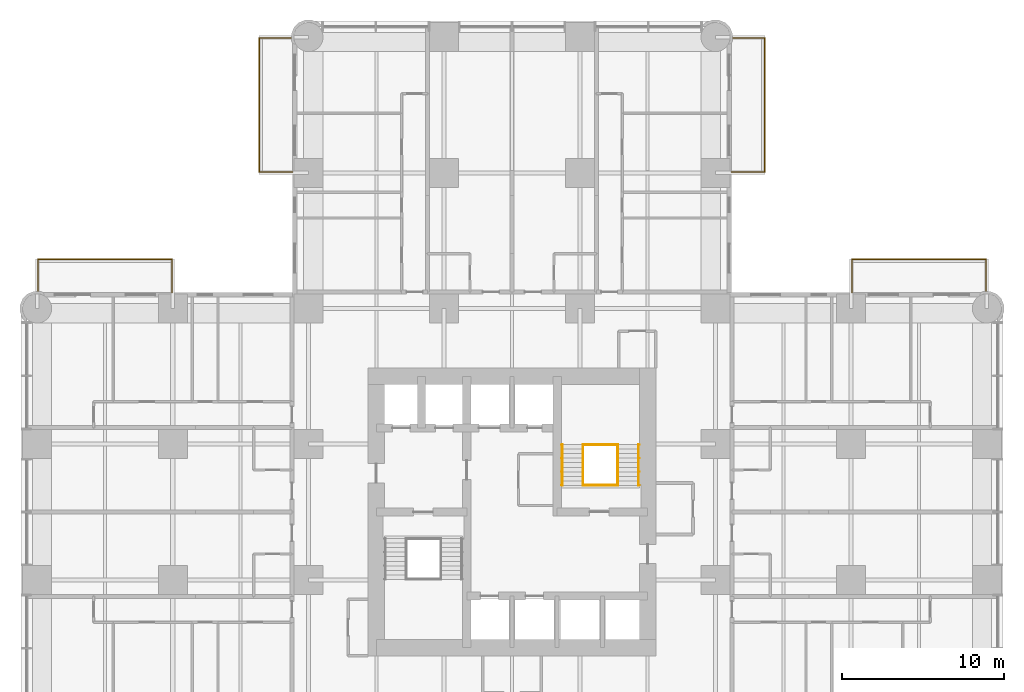
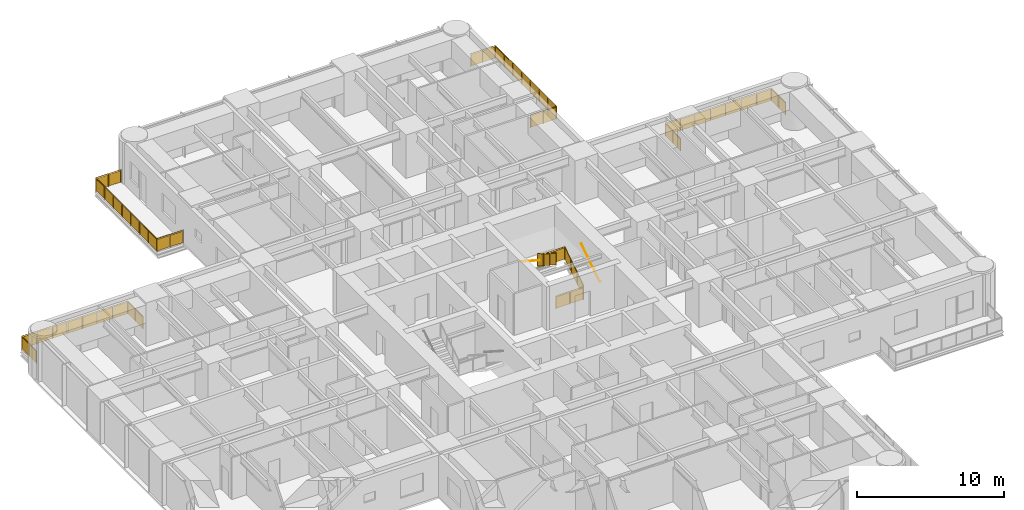
# One storey, part 17 of 17: 10 railings.
"""IFC4 building model written with IfcOpenShell, lengths in metres."""

from ifc_helpers import new_model, si_unit, direction, frame, origin, origin_2d, place, context, subcontext, project, spatial, polyline, circle, outline, extrude, material, constituent, constituent_set, type_object, element, save


model = new_model("IFC4")

# Units and contexts
model_context = context("Model", 3, precision=1e-05, world=origin(), true_north=direction((0.0, 1.0)))
body_context = subcontext(model_context, "Body", "Model", "MODEL_VIEW")
ifc_project = project(units=[si_unit("LENGTHUNIT", "METRE"), si_unit("AREAUNIT", "SQUARE_METRE"), si_unit("VOLUMEUNIT", "CUBIC_METRE"), si_unit("PLANEANGLEUNIT", "RADIAN"), si_unit("MASSUNIT", "GRAM", prefix="KILO")], contexts=[model_context])

# Site, building, storey
site_placement = place(None, origin())
site = spatial("IfcSite", under=ifc_project, at=site_placement, CompositionType="ELEMENT")
building_placement = place(site_placement, origin())
building = spatial("IfcBuilding", under=site, at=building_placement, Name="Torre Alcanfor", CompositionType="ELEMENT")
storey_placement = place(building_placement, frame((0.0, 0.0, 84.89990234375)))
storey = spatial("IfcBuildingStorey", under=building, at=storey_placement, Name="L21", CompositionType="ELEMENT", Elevation=84.89990234375)

# Railings
ifc_material_1 = material(Name="Laminated safety glass", Category="glass")
ifc_constituent_1 = constituent(ifc_material_1, Name="Infill")
ifc_material_2 = material(Name="Stainless steel ASTM A554 Grade MT 316L tube", Category="steel")
ifc_constituent_2 = constituent(ifc_material_2, Name="Posts and rail")
ifc_constituent_set = constituent_set(constituents=[ifc_constituent_1, ifc_constituent_2], Name="Balcony guard glass 1100")
railing_type_1 = type_object("IfcRailingType", Name="Balcony guard glass 1100", PredefinedType="BALUSTRADE", material=ifc_constituent_set)
railing_1_placement = place(storey_placement, frame((15.800048828125, 50.449951171875, 0.0)))
element("IfcRailing", 1, at=railing_1_placement, inside=storey, type_object=railing_type_1, Name="Balcony guard L21-N1", PredefinedType="BALUSTRADE", context=body_context, shape_type="SweptSolid", body=[
    extrude(circle(Radius=0.02392578125, at=origin_2d()), frame((0.0, 0.0, 1.076171875), z_axis=(-1.0, 0.0, 0.0), x_axis=(0.0, -1.0, 0.0)), (0.0, 0.0, 1.0), 2.050048828125),
    extrude(circle(Radius=0.02392578125, at=origin_2d()), frame((-2.050048828125, 0.0, 1.076171875), z_axis=(0.0, 1.0, 0.0), x_axis=(-1.0, 0.0, 0.0)), (0.0, 0.0, 1.0), 8.300048828125),
    extrude(circle(Radius=0.02392578125, at=origin_2d()), frame((-2.050048828125, 8.300048828125, 1.076171875), z_axis=(1.0, 0.0, 0.0), x_axis=(0.0, 1.0, 0.0)), (0.0, 0.0, 1.0), 1.968994140625),
    extrude(circle(Radius=0.02099609375, at=origin_2d()), origin(), (0.0, 0.0, 1.0), 1.052001953125),
    extrude(circle(Radius=0.02099609375, at=origin_2d()), frame((-1.02490234375, 0.0, 0.0)), (0.0, 0.0, 1.0), 1.052001953125),
    extrude(circle(Radius=0.02099609375, at=origin_2d()), frame((-2.050048828125, 0.0, 0.0)), (0.0, 0.0, 1.0), 1.052001953125),
    extrude(circle(Radius=0.02099609375, at=origin_2d()), frame((-2.050048828125, 1.185791015625, 0.0)), (0.0, 0.0, 1.0), 1.052001953125),
    extrude(circle(Radius=0.02099609375, at=origin_2d()), frame((-2.050048828125, 2.371337890625, 0.0)), (0.0, 0.0, 1.0), 1.052001953125),
    extrude(circle(Radius=0.02099609375, at=origin_2d()), frame((-2.050048828125, 3.55712890625, 0.0)), (0.0, 0.0, 1.0), 1.052001953125),
    extrude(circle(Radius=0.02099609375, at=origin_2d()), frame((-2.050048828125, 4.742919921875, 0.0)), (0.0, 0.0, 1.0), 1.052001953125),
    extrude(circle(Radius=0.02099609375, at=origin_2d()), frame((-2.050048828125, 5.9287109375, 0.0)), (0.0, 0.0, 1.0), 1.052001953125),
    extrude(circle(Radius=0.02099609375, at=origin_2d()), frame((-2.050048828125, 7.1142578125, 0.0)), (0.0, 0.0, 1.0), 1.052001953125),
    extrude(circle(Radius=0.02099609375, at=origin_2d()), frame((-2.050048828125, 8.300048828125, 0.0)), (0.0, 0.0, 1.0), 1.052001953125),
    extrude(circle(Radius=0.02099609375, at=origin_2d()), frame((-1.0654296875, 8.300048828125, 0.0)), (0.0, 0.0, 1.0), 1.052001953125),
    extrude(circle(Radius=0.02099609375, at=origin_2d()), frame((-0.0810546875, 8.300048828125, 0.0)), (0.0, 0.0, 1.0), 1.052001953125),
    extrude(outline(polyline([(0.041015625, 0.050048828125), (0.984130859375, 0.050048828125), (0.984130859375, 1.001953125), (0.041015625, 1.001953125), (0.041015625, 0.050048828125)])), frame((0.0, -0.005859375, 0.0), z_axis=(0.0, 1.0, 0.0), x_axis=(-1.0, 0.0, 0.0)), (0.0, 0.0, 1.0), 0.011962890625),
    extrude(outline(polyline([(1.06591796875, 0.050048828125), (2.009033203125, 0.050048828125), (2.009033203125, 1.001953125), (1.06591796875, 1.001953125), (1.06591796875, 0.050048828125)])), frame((0.0, -0.005859375, 0.0), z_axis=(0.0, 1.0, 0.0), x_axis=(-1.0, 0.0, 0.0)), (0.0, 0.0, 1.0), 0.011962890625),
    extrude(outline(polyline([(0.041015625, 0.050048828125), (1.144775390625, 0.050048828125), (1.144775390625, 1.001953125), (0.041015625, 1.001953125), (0.041015625, 0.050048828125)])), frame((-2.05615234375, 0.0, 0.0), z_axis=(1.0, 0.0, 0.0), x_axis=(0.0, 1.0, 0.0)), (0.0, 0.0, 1.0), 0.011962890625),
    extrude(outline(polyline([(1.226806640625, 0.050048828125), (2.330322265625, 0.050048828125), (2.330322265625, 1.001953125), (1.226806640625, 1.001953125), (1.226806640625, 0.050048828125)])), frame((-2.05615234375, 0.0, 0.0), z_axis=(1.0, 0.0, 0.0), x_axis=(0.0, 1.0, 0.0)), (0.0, 0.0, 1.0), 0.011962890625),
    extrude(outline(polyline([(2.412353515625, 0.050048828125), (3.51611328125, 0.050048828125), (3.51611328125, 1.001953125), (2.412353515625, 1.001953125), (2.412353515625, 0.050048828125)])), frame((-2.05615234375, 0.0, 0.0), z_axis=(1.0, 0.0, 0.0), x_axis=(0.0, 1.0, 0.0)), (0.0, 0.0, 1.0), 0.011962890625),
    extrude(outline(polyline([(3.59814453125, 0.050048828125), (4.701904296875, 0.050048828125), (4.701904296875, 1.001953125), (3.59814453125, 1.001953125), (3.59814453125, 0.050048828125)])), frame((-2.05615234375, 0.0, 0.0), z_axis=(1.0, 0.0, 0.0), x_axis=(0.0, 1.0, 0.0)), (0.0, 0.0, 1.0), 0.011962890625),
    extrude(outline(polyline([(4.783935546875, 0.050048828125), (5.8876953125, 0.050048828125), (5.8876953125, 1.001953125), (4.783935546875, 1.001953125), (4.783935546875, 0.050048828125)])), frame((-2.05615234375, 0.0, 0.0), z_axis=(1.0, 0.0, 0.0), x_axis=(0.0, 1.0, 0.0)), (0.0, 0.0, 1.0), 0.011962890625),
    extrude(outline(polyline([(5.9697265625, 0.050048828125), (7.0732421875, 0.050048828125), (7.0732421875, 1.001953125), (5.9697265625, 1.001953125), (5.9697265625, 0.050048828125)])), frame((-2.05615234375, 0.0, 0.0), z_axis=(1.0, 0.0, 0.0), x_axis=(0.0, 1.0, 0.0)), (0.0, 0.0, 1.0), 0.011962890625),
    extrude(outline(polyline([(7.1552734375, 0.050048828125), (8.259033203125, 0.050048828125), (8.259033203125, 1.001953125), (7.1552734375, 1.001953125), (7.1552734375, 0.050048828125)])), frame((-2.05615234375, 0.0, 0.0), z_axis=(1.0, 0.0, 0.0), x_axis=(0.0, 1.0, 0.0)), (0.0, 0.0, 1.0), 0.011962890625),
    extrude(outline(polyline([(0.041015625, 0.050048828125), (0.943603515625, 0.050048828125), (0.943603515625, 1.001953125), (0.041015625, 1.001953125), (0.041015625, 0.050048828125)])), frame((-2.050048828125, 8.30615234375, 0.0), z_axis=(0.0, -1.0, 0.0), x_axis=(1.0, 0.0, 0.0)), (0.0, 0.0, 1.0), 0.011962890625),
    extrude(outline(polyline([(1.025390625, 0.050048828125), (1.927978515625, 0.050048828125), (1.927978515625, 1.001953125), (1.025390625, 1.001953125), (1.025390625, 0.050048828125)])), frame((-2.050048828125, 8.30615234375, 0.0), z_axis=(0.0, -1.0, 0.0), x_axis=(1.0, 0.0, 0.0)), (0.0, 0.0, 1.0), 0.011962890625),
])
railing_2_placement = place(storey_placement, frame((43.0, 50.449951171875, 0.0)))
element("IfcRailing", 2, at=railing_2_placement, inside=storey, type_object=railing_type_1, Name="Balcony guard L21-N2", PredefinedType="BALUSTRADE", context=body_context, shape_type="SweptSolid", body=[
    extrude(circle(Radius=0.02392578125, at=origin_2d()), frame((0.0, 0.0, 1.076171875), z_axis=(1.0, 0.0, 0.0), x_axis=(0.0, 1.0, 0.0)), (0.0, 0.0, 1.0), 2.050048828125),
    extrude(circle(Radius=0.02392578125, at=origin_2d()), frame((2.050048828125, 0.0, 1.076171875), z_axis=(0.0, 1.0, 0.0), x_axis=(-1.0, 0.0, 0.0)), (0.0, 0.0, 1.0), 8.300048828125),
    extrude(circle(Radius=0.02392578125, at=origin_2d()), frame((2.050048828125, 8.300048828125, 1.076171875), z_axis=(-1.0, 0.0, 0.0), x_axis=(0.0, -1.0, 0.0)), (0.0, 0.0, 1.0), 1.968994140625),
    extrude(circle(Radius=0.02099609375, at=origin_2d()), origin(), (0.0, 0.0, 1.0), 1.052001953125),
    extrude(circle(Radius=0.02099609375, at=origin_2d()), frame((1.02490234375, 0.0, 0.0)), (0.0, 0.0, 1.0), 1.052001953125),
    extrude(circle(Radius=0.02099609375, at=origin_2d()), frame((2.050048828125, 0.0, 0.0)), (0.0, 0.0, 1.0), 1.052001953125),
    extrude(circle(Radius=0.02099609375, at=origin_2d()), frame((2.050048828125, 1.185791015625, 0.0)), (0.0, 0.0, 1.0), 1.052001953125),
    extrude(circle(Radius=0.02099609375, at=origin_2d()), frame((2.050048828125, 2.371337890625, 0.0)), (0.0, 0.0, 1.0), 1.052001953125),
    extrude(circle(Radius=0.02099609375, at=origin_2d()), frame((2.050048828125, 3.55712890625, 0.0)), (0.0, 0.0, 1.0), 1.052001953125),
    extrude(circle(Radius=0.02099609375, at=origin_2d()), frame((2.050048828125, 4.742919921875, 0.0)), (0.0, 0.0, 1.0), 1.052001953125),
    extrude(circle(Radius=0.02099609375, at=origin_2d()), frame((2.050048828125, 5.9287109375, 0.0)), (0.0, 0.0, 1.0), 1.052001953125),
    extrude(circle(Radius=0.02099609375, at=origin_2d()), frame((2.050048828125, 7.1142578125, 0.0)), (0.0, 0.0, 1.0), 1.052001953125),
    extrude(circle(Radius=0.02099609375, at=origin_2d()), frame((2.050048828125, 8.300048828125, 0.0)), (0.0, 0.0, 1.0), 1.052001953125),
    extrude(circle(Radius=0.02099609375, at=origin_2d()), frame((1.0654296875, 8.300048828125, 0.0)), (0.0, 0.0, 1.0), 1.052001953125),
    extrude(circle(Radius=0.02099609375, at=origin_2d()), frame((0.0810546875, 8.300048828125, 0.0)), (0.0, 0.0, 1.0), 1.052001953125),
    extrude(outline(polyline([(0.041015625, 0.050048828125), (0.984130859375, 0.050048828125), (0.984130859375, 1.001953125), (0.041015625, 1.001953125), (0.041015625, 0.050048828125)])), frame((0.0, 0.005859375, 0.0), z_axis=(0.0, -1.0, 0.0), x_axis=(1.0, 0.0, 0.0)), (0.0, 0.0, 1.0), 0.011962890625),
    extrude(outline(polyline([(1.06591796875, 0.050048828125), (2.009033203125, 0.050048828125), (2.009033203125, 1.001953125), (1.06591796875, 1.001953125), (1.06591796875, 0.050048828125)])), frame((0.0, 0.005859375, 0.0), z_axis=(0.0, -1.0, 0.0), x_axis=(1.0, 0.0, 0.0)), (0.0, 0.0, 1.0), 0.011962890625),
    extrude(outline(polyline([(0.041015625, 0.050048828125), (1.144775390625, 0.050048828125), (1.144775390625, 1.001953125), (0.041015625, 1.001953125), (0.041015625, 0.050048828125)])), frame((2.0439453125, 0.0, 0.0), z_axis=(1.0, 0.0, 0.0), x_axis=(0.0, 1.0, 0.0)), (0.0, 0.0, 1.0), 0.011962890625),
    extrude(outline(polyline([(1.226806640625, 0.050048828125), (2.330322265625, 0.050048828125), (2.330322265625, 1.001953125), (1.226806640625, 1.001953125), (1.226806640625, 0.050048828125)])), frame((2.0439453125, 0.0, 0.0), z_axis=(1.0, 0.0, 0.0), x_axis=(0.0, 1.0, 0.0)), (0.0, 0.0, 1.0), 0.011962890625),
    extrude(outline(polyline([(2.412353515625, 0.050048828125), (3.51611328125, 0.050048828125), (3.51611328125, 1.001953125), (2.412353515625, 1.001953125), (2.412353515625, 0.050048828125)])), frame((2.0439453125, 0.0, 0.0), z_axis=(1.0, 0.0, 0.0), x_axis=(0.0, 1.0, 0.0)), (0.0, 0.0, 1.0), 0.011962890625),
    extrude(outline(polyline([(3.59814453125, 0.050048828125), (4.701904296875, 0.050048828125), (4.701904296875, 1.001953125), (3.59814453125, 1.001953125), (3.59814453125, 0.050048828125)])), frame((2.0439453125, 0.0, 0.0), z_axis=(1.0, 0.0, 0.0), x_axis=(0.0, 1.0, 0.0)), (0.0, 0.0, 1.0), 0.011962890625),
    extrude(outline(polyline([(4.783935546875, 0.050048828125), (5.8876953125, 0.050048828125), (5.8876953125, 1.001953125), (4.783935546875, 1.001953125), (4.783935546875, 0.050048828125)])), frame((2.0439453125, 0.0, 0.0), z_axis=(1.0, 0.0, 0.0), x_axis=(0.0, 1.0, 0.0)), (0.0, 0.0, 1.0), 0.011962890625),
    extrude(outline(polyline([(5.9697265625, 0.050048828125), (7.0732421875, 0.050048828125), (7.0732421875, 1.001953125), (5.9697265625, 1.001953125), (5.9697265625, 0.050048828125)])), frame((2.0439453125, 0.0, 0.0), z_axis=(1.0, 0.0, 0.0), x_axis=(0.0, 1.0, 0.0)), (0.0, 0.0, 1.0), 0.011962890625),
    extrude(outline(polyline([(7.1552734375, 0.050048828125), (8.259033203125, 0.050048828125), (8.259033203125, 1.001953125), (7.1552734375, 1.001953125), (7.1552734375, 0.050048828125)])), frame((2.0439453125, 0.0, 0.0), z_axis=(1.0, 0.0, 0.0), x_axis=(0.0, 1.0, 0.0)), (0.0, 0.0, 1.0), 0.011962890625),
    extrude(outline(polyline([(0.041015625, 0.050048828125), (0.943603515625, 0.050048828125), (0.943603515625, 1.001953125), (0.041015625, 1.001953125), (0.041015625, 0.050048828125)])), frame((2.050048828125, 8.2939453125, 0.0), z_axis=(0.0, 1.0, 0.0), x_axis=(-1.0, 0.0, 0.0)), (0.0, 0.0, 1.0), 0.011962890625),
    extrude(outline(polyline([(1.025390625, 0.050048828125), (1.927978515625, 0.050048828125), (1.927978515625, 1.001953125), (1.025390625, 1.001953125), (1.025390625, 0.050048828125)])), frame((2.050048828125, 8.2939453125, 0.0), z_axis=(0.0, 1.0, 0.0), x_axis=(-1.0, 0.0, 0.0)), (0.0, 0.0, 1.0), 0.011962890625),
])
railing_3_placement = place(storey_placement, frame((50.449951171875, 43.0, 0.0)))
element("IfcRailing", 3, at=railing_3_placement, inside=storey, type_object=railing_type_1, Name="Balcony guard L21-E1", PredefinedType="BALUSTRADE", context=body_context, shape_type="SweptSolid", body=[
    extrude(circle(Radius=0.02392578125, at=origin_2d()), frame((0.0, 0.0, 1.076171875), z_axis=(0.0, 1.0, 0.0), x_axis=(-1.0, 0.0, 0.0)), (0.0, 0.0, 1.0), 2.050048828125),
    extrude(circle(Radius=0.02392578125, at=origin_2d()), frame((0.0, 2.050048828125, 1.076171875), z_axis=(1.0, 0.0, 0.0), x_axis=(0.0, 1.0, 0.0)), (0.0, 0.0, 1.0), 8.300048828125),
    extrude(circle(Radius=0.02392578125, at=origin_2d()), frame((8.300048828125, 2.050048828125, 1.076171875), z_axis=(0.0, -1.0, 0.0), x_axis=(1.0, 0.0, 0.0)), (0.0, 0.0, 1.0), 1.968994140625),
    extrude(circle(Radius=0.02099609375, at=origin_2d()), origin(), (0.0, 0.0, 1.0), 1.052001953125),
    extrude(circle(Radius=0.02099609375, at=origin_2d()), frame((0.0, 1.02490234375, 0.0)), (0.0, 0.0, 1.0), 1.052001953125),
    extrude(circle(Radius=0.02099609375, at=origin_2d()), frame((0.0, 2.050048828125, 0.0)), (0.0, 0.0, 1.0), 1.052001953125),
    extrude(circle(Radius=0.02099609375, at=origin_2d()), frame((1.185791015625, 2.050048828125, 0.0)), (0.0, 0.0, 1.0), 1.052001953125),
    extrude(circle(Radius=0.02099609375, at=origin_2d()), frame((2.371337890625, 2.050048828125, 0.0)), (0.0, 0.0, 1.0), 1.052001953125),
    extrude(circle(Radius=0.02099609375, at=origin_2d()), frame((3.55712890625, 2.050048828125, 0.0)), (0.0, 0.0, 1.0), 1.052001953125),
    extrude(circle(Radius=0.02099609375, at=origin_2d()), frame((4.742919921875, 2.050048828125, 0.0)), (0.0, 0.0, 1.0), 1.052001953125),
    extrude(circle(Radius=0.02099609375, at=origin_2d()), frame((5.9287109375, 2.050048828125, 0.0)), (0.0, 0.0, 1.0), 1.052001953125),
    extrude(circle(Radius=0.02099609375, at=origin_2d()), frame((7.1142578125, 2.050048828125, 0.0)), (0.0, 0.0, 1.0), 1.052001953125),
    extrude(circle(Radius=0.02099609375, at=origin_2d()), frame((8.300048828125, 2.050048828125, 0.0)), (0.0, 0.0, 1.0), 1.052001953125),
    extrude(circle(Radius=0.02099609375, at=origin_2d()), frame((8.300048828125, 1.0654296875, 0.0)), (0.0, 0.0, 1.0), 1.052001953125),
    extrude(circle(Radius=0.02099609375, at=origin_2d()), frame((8.300048828125, 0.0810546875, 0.0)), (0.0, 0.0, 1.0), 1.052001953125),
    extrude(outline(polyline([(0.041015625, 0.050048828125), (0.984130859375, 0.050048828125), (0.984130859375, 1.001953125), (0.041015625, 1.001953125), (0.041015625, 0.050048828125)])), frame((-0.005859375, 0.0, 0.0), z_axis=(1.0, 0.0, 0.0), x_axis=(0.0, 1.0, 0.0)), (0.0, 0.0, 1.0), 0.011962890625),
    extrude(outline(polyline([(1.06591796875, 0.050048828125), (2.009033203125, 0.050048828125), (2.009033203125, 1.001953125), (1.06591796875, 1.001953125), (1.06591796875, 0.050048828125)])), frame((-0.005859375, 0.0, 0.0), z_axis=(1.0, 0.0, 0.0), x_axis=(0.0, 1.0, 0.0)), (0.0, 0.0, 1.0), 0.011962890625),
    extrude(outline(polyline([(0.041015625, 0.050048828125), (1.144775390625, 0.050048828125), (1.144775390625, 1.001953125), (0.041015625, 1.001953125), (0.041015625, 0.050048828125)])), frame((0.0, 2.05615234375, 0.0), z_axis=(0.0, -1.0, 0.0), x_axis=(1.0, 0.0, 0.0)), (0.0, 0.0, 1.0), 0.011962890625),
    extrude(outline(polyline([(1.226806640625, 0.050048828125), (2.330322265625, 0.050048828125), (2.330322265625, 1.001953125), (1.226806640625, 1.001953125), (1.226806640625, 0.050048828125)])), frame((0.0, 2.05615234375, 0.0), z_axis=(0.0, -1.0, 0.0), x_axis=(1.0, 0.0, 0.0)), (0.0, 0.0, 1.0), 0.011962890625),
    extrude(outline(polyline([(2.412353515625, 0.050048828125), (3.51611328125, 0.050048828125), (3.51611328125, 1.001953125), (2.412353515625, 1.001953125), (2.412353515625, 0.050048828125)])), frame((0.0, 2.05615234375, 0.0), z_axis=(0.0, -1.0, 0.0), x_axis=(1.0, 0.0, 0.0)), (0.0, 0.0, 1.0), 0.011962890625),
    extrude(outline(polyline([(3.59814453125, 0.050048828125), (4.701904296875, 0.050048828125), (4.701904296875, 1.001953125), (3.59814453125, 1.001953125), (3.59814453125, 0.050048828125)])), frame((0.0, 2.05615234375, 0.0), z_axis=(0.0, -1.0, 0.0), x_axis=(1.0, 0.0, 0.0)), (0.0, 0.0, 1.0), 0.011962890625),
    extrude(outline(polyline([(4.783935546875, 0.050048828125), (5.8876953125, 0.050048828125), (5.8876953125, 1.001953125), (4.783935546875, 1.001953125), (4.783935546875, 0.050048828125)])), frame((0.0, 2.05615234375, 0.0), z_axis=(0.0, -1.0, 0.0), x_axis=(1.0, 0.0, 0.0)), (0.0, 0.0, 1.0), 0.011962890625),
    extrude(outline(polyline([(5.9697265625, 0.050048828125), (7.0732421875, 0.050048828125), (7.0732421875, 1.001953125), (5.9697265625, 1.001953125), (5.9697265625, 0.050048828125)])), frame((0.0, 2.05615234375, 0.0), z_axis=(0.0, -1.0, 0.0), x_axis=(1.0, 0.0, 0.0)), (0.0, 0.0, 1.0), 0.011962890625),
    extrude(outline(polyline([(7.1552734375, 0.050048828125), (8.259033203125, 0.050048828125), (8.259033203125, 1.001953125), (7.1552734375, 1.001953125), (7.1552734375, 0.050048828125)])), frame((0.0, 2.05615234375, 0.0), z_axis=(0.0, -1.0, 0.0), x_axis=(1.0, 0.0, 0.0)), (0.0, 0.0, 1.0), 0.011962890625),
    extrude(outline(polyline([(0.041015625, 0.050048828125), (0.943603515625, 0.050048828125), (0.943603515625, 1.001953125), (0.041015625, 1.001953125), (0.041015625, 0.050048828125)])), frame((8.30615234375, 2.050048828125, 0.0), z_axis=(-1.0, 0.0, 0.0), x_axis=(0.0, -1.0, 0.0)), (0.0, 0.0, 1.0), 0.011962890625),
    extrude(outline(polyline([(1.025390625, 0.050048828125), (1.927978515625, 0.050048828125), (1.927978515625, 1.001953125), (1.025390625, 1.001953125), (1.025390625, 0.050048828125)])), frame((8.30615234375, 2.050048828125, 0.0), z_axis=(-1.0, 0.0, 0.0), x_axis=(0.0, -1.0, 0.0)), (0.0, 0.0, 1.0), 0.011962890625),
])
railing_4_placement = place(storey_placement, frame((8.35009765625, 43.0, 0.0)))
element("IfcRailing", 4, at=railing_4_placement, inside=storey, type_object=railing_type_1, Name="Balcony guard L21-W2", PredefinedType="BALUSTRADE", context=body_context, shape_type="SweptSolid", body=[
    extrude(circle(Radius=0.02392578125, at=origin_2d()), frame((0.0, 0.0, 1.076171875), z_axis=(0.0, 1.0, 0.0), x_axis=(-1.0, 0.0, 0.0)), (0.0, 0.0, 1.0), 2.050048828125),
    extrude(circle(Radius=0.02392578125, at=origin_2d()), frame((0.0, 2.050048828125, 1.076171875), z_axis=(-1.0, 0.0, 0.0), x_axis=(0.0, -1.0, 0.0)), (0.0, 0.0, 1.0), 8.300048828125),
    extrude(circle(Radius=0.02392578125, at=origin_2d()), frame((-8.300048828125, 2.050048828125, 1.076171875), z_axis=(0.0, -1.0, 0.0), x_axis=(1.0, 0.0, 0.0)), (0.0, 0.0, 1.0), 1.968994140625),
    extrude(circle(Radius=0.02099609375, at=origin_2d()), origin(), (0.0, 0.0, 1.0), 1.052001953125),
    extrude(circle(Radius=0.02099609375, at=origin_2d()), frame((0.0, 1.02490234375, 0.0)), (0.0, 0.0, 1.0), 1.052001953125),
    extrude(circle(Radius=0.02099609375, at=origin_2d()), frame((0.0, 2.050048828125, 0.0)), (0.0, 0.0, 1.0), 1.052001953125),
    extrude(circle(Radius=0.02099609375, at=origin_2d()), frame((-1.185791015625, 2.050048828125, 0.0)), (0.0, 0.0, 1.0), 1.052001953125),
    extrude(circle(Radius=0.02099609375, at=origin_2d()), frame((-2.371337890625, 2.050048828125, 0.0)), (0.0, 0.0, 1.0), 1.052001953125),
    extrude(circle(Radius=0.02099609375, at=origin_2d()), frame((-3.55712890625, 2.050048828125, 0.0)), (0.0, 0.0, 1.0), 1.052001953125),
    extrude(circle(Radius=0.02099609375, at=origin_2d()), frame((-4.742919921875, 2.050048828125, 0.0)), (0.0, 0.0, 1.0), 1.052001953125),
    extrude(circle(Radius=0.02099609375, at=origin_2d()), frame((-5.9287109375, 2.050048828125, 0.0)), (0.0, 0.0, 1.0), 1.052001953125),
    extrude(circle(Radius=0.02099609375, at=origin_2d()), frame((-7.1142578125, 2.050048828125, 0.0)), (0.0, 0.0, 1.0), 1.052001953125),
    extrude(circle(Radius=0.02099609375, at=origin_2d()), frame((-8.300048828125, 2.050048828125, 0.0)), (0.0, 0.0, 1.0), 1.052001953125),
    extrude(circle(Radius=0.02099609375, at=origin_2d()), frame((-8.300048828125, 1.0654296875, 0.0)), (0.0, 0.0, 1.0), 1.052001953125),
    extrude(circle(Radius=0.02099609375, at=origin_2d()), frame((-8.300048828125, 0.0810546875, 0.0)), (0.0, 0.0, 1.0), 1.052001953125),
    extrude(outline(polyline([(0.041015625, 0.050048828125), (0.984130859375, 0.050048828125), (0.984130859375, 1.001953125), (0.041015625, 1.001953125), (0.041015625, 0.050048828125)])), frame((-0.005859375, 0.0, 0.0), z_axis=(1.0, 0.0, 0.0), x_axis=(0.0, 1.0, 0.0)), (0.0, 0.0, 1.0), 0.011962890625),
    extrude(outline(polyline([(1.06591796875, 0.050048828125), (2.009033203125, 0.050048828125), (2.009033203125, 1.001953125), (1.06591796875, 1.001953125), (1.06591796875, 0.050048828125)])), frame((-0.005859375, 0.0, 0.0), z_axis=(1.0, 0.0, 0.0), x_axis=(0.0, 1.0, 0.0)), (0.0, 0.0, 1.0), 0.011962890625),
    extrude(outline(polyline([(0.041015625, 0.050048828125), (1.144775390625, 0.050048828125), (1.144775390625, 1.001953125), (0.041015625, 1.001953125), (0.041015625, 0.050048828125)])), frame((0.0, 2.0439453125, 0.0), z_axis=(0.0, 1.0, 0.0), x_axis=(-1.0, 0.0, 0.0)), (0.0, 0.0, 1.0), 0.011962890625),
    extrude(outline(polyline([(1.226806640625, 0.050048828125), (2.330322265625, 0.050048828125), (2.330322265625, 1.001953125), (1.226806640625, 1.001953125), (1.226806640625, 0.050048828125)])), frame((0.0, 2.0439453125, 0.0), z_axis=(0.0, 1.0, 0.0), x_axis=(-1.0, 0.0, 0.0)), (0.0, 0.0, 1.0), 0.011962890625),
    extrude(outline(polyline([(2.412353515625, 0.050048828125), (3.51611328125, 0.050048828125), (3.51611328125, 1.001953125), (2.412353515625, 1.001953125), (2.412353515625, 0.050048828125)])), frame((0.0, 2.0439453125, 0.0), z_axis=(0.0, 1.0, 0.0), x_axis=(-1.0, 0.0, 0.0)), (0.0, 0.0, 1.0), 0.011962890625),
    extrude(outline(polyline([(3.59814453125, 0.050048828125), (4.701904296875, 0.050048828125), (4.701904296875, 1.001953125), (3.59814453125, 1.001953125), (3.59814453125, 0.050048828125)])), frame((0.0, 2.0439453125, 0.0), z_axis=(0.0, 1.0, 0.0), x_axis=(-1.0, 0.0, 0.0)), (0.0, 0.0, 1.0), 0.011962890625),
    extrude(outline(polyline([(4.783935546875, 0.050048828125), (5.8876953125, 0.050048828125), (5.8876953125, 1.001953125), (4.783935546875, 1.001953125), (4.783935546875, 0.050048828125)])), frame((0.0, 2.0439453125, 0.0), z_axis=(0.0, 1.0, 0.0), x_axis=(-1.0, 0.0, 0.0)), (0.0, 0.0, 1.0), 0.011962890625),
    extrude(outline(polyline([(5.9697265625, 0.050048828125), (7.0732421875, 0.050048828125), (7.0732421875, 1.001953125), (5.9697265625, 1.001953125), (5.9697265625, 0.050048828125)])), frame((0.0, 2.0439453125, 0.0), z_axis=(0.0, 1.0, 0.0), x_axis=(-1.0, 0.0, 0.0)), (0.0, 0.0, 1.0), 0.011962890625),
    extrude(outline(polyline([(7.1552734375, 0.050048828125), (8.259033203125, 0.050048828125), (8.259033203125, 1.001953125), (7.1552734375, 1.001953125), (7.1552734375, 0.050048828125)])), frame((0.0, 2.0439453125, 0.0), z_axis=(0.0, 1.0, 0.0), x_axis=(-1.0, 0.0, 0.0)), (0.0, 0.0, 1.0), 0.011962890625),
    extrude(outline(polyline([(0.041015625, 0.050048828125), (0.943603515625, 0.050048828125), (0.943603515625, 1.001953125), (0.041015625, 1.001953125), (0.041015625, 0.050048828125)])), frame((-8.2939453125, 2.050048828125, 0.0), z_axis=(-1.0, 0.0, 0.0), x_axis=(0.0, -1.0, 0.0)), (0.0, 0.0, 1.0), 0.011962890625),
    extrude(outline(polyline([(1.025390625, 0.050048828125), (1.927978515625, 0.050048828125), (1.927978515625, 1.001953125), (1.025390625, 1.001953125), (1.025390625, 0.050048828125)])), frame((-8.2939453125, 2.050048828125, 0.0), z_axis=(-1.0, 0.0, 0.0), x_axis=(0.0, -1.0, 0.0)), (0.0, 0.0, 1.0), 0.011962890625),
])
ifc_material_3 = material(Name="Steel ASTM A500 Grade C hollow sections", Category="steel")
railing_type_2 = type_object("IfcRailingType", Name="Stair guard and handrail 1100", PredefinedType="GUARDRAIL", material=ifc_material_3)
railing_5_placement = place(storey_placement, frame((35.949951171875, 31.050048828125, 0.18017578125)))
element("IfcRailing", 5, at=railing_5_placement, inside=storey, type_object=railing_type_2, Name="Stair guard S2 L21 flight 1", PredefinedType="GUARDRAIL", context=body_context, shape_type="SweptSolid", body=[
    extrude(circle(Radius=0.02392578125, at=origin_2d()), frame((0.0, 0.0, 1.076171875), z_axis=(0.0, 0.841199657755, 0.540724639528), x_axis=(-1.0, 0.0, 0.0)), (0.0, 0.0, 1.0), 2.995849609375),
    extrude(circle(Radius=0.02099609375, at=origin_2d()), origin(), (0.0, 0.0, 1.0), 1.052001953125),
    extrude(circle(Radius=0.02099609375, at=origin_2d()), frame((0.0, 0.840087890625, 0.5400390625)), (0.0, 0.0, 1.0), 1.052001953125),
    extrude(circle(Radius=0.02099609375, at=origin_2d()), frame((0.0, 1.679931640625, 1.079833984375)), (0.0, 0.0, 1.0), 1.052001953125),
    extrude(circle(Radius=0.02099609375, at=origin_2d()), frame((0.0, 2.52001953125, 1.619873046875)), (0.0, 0.0, 1.0), 1.052001953125),
    extrude(outline(polyline([(0.041015625, 0.076416015625), (0.799072265625, 0.563720703125), (0.799072265625, 1.515625), (0.041015625, 1.0283203125), (0.041015625, 0.076416015625)])), frame((-0.005859375, 0.0, 0.0), z_axis=(1.0, 0.0, 0.0), x_axis=(0.0, 1.0, 0.0)), (0.0, 0.0, 1.0), 0.011962890625),
    extrude(outline(polyline([(0.881103515625, 0.6162109375), (1.638916015625, 1.103515625), (1.638916015625, 2.0556640625), (0.881103515625, 1.568359375), (0.881103515625, 0.6162109375)])), frame((-0.005859375, 0.0, 0.0), z_axis=(1.0, 0.0, 0.0), x_axis=(0.0, 1.0, 0.0)), (0.0, 0.0, 1.0), 0.011962890625),
    extrude(outline(polyline([(1.720947265625, 1.15625), (2.47900390625, 1.6435546875), (2.47900390625, 2.595458984375), (1.720947265625, 2.108154296875), (1.720947265625, 1.15625)])), frame((-0.005859375, 0.0, 0.0), z_axis=(1.0, 0.0, 0.0), x_axis=(0.0, 1.0, 0.0)), (0.0, 0.0, 1.0), 0.011962890625),
])
railing_6_placement = place(storey_placement, frame((33.800048828125, 33.570068359375, 1.97998046875)))
element("IfcRailing", 6, at=railing_6_placement, inside=storey, type_object=railing_type_2, Name="Stair guard S2 L21 flight 2", PredefinedType="GUARDRAIL", context=body_context, shape_type="SweptSolid", body=[
    extrude(circle(Radius=0.02392578125, at=origin_2d()), frame((0.0, 0.0, 1.076171875), z_axis=(0.0, -0.841162588446, 0.540782303519), x_axis=(1.0, 0.0, 0.0)), (0.0, 0.0, 1.0), 2.995849609375),
    extrude(circle(Radius=0.02099609375, at=origin_2d()), origin(), (0.0, 0.0, 1.0), 1.052001953125),
    extrude(circle(Radius=0.02099609375, at=origin_2d()), frame((0.0, -0.840087890625, 0.5400390625)), (0.0, 0.0, 1.0), 1.052001953125),
    extrude(circle(Radius=0.02099609375, at=origin_2d()), frame((0.0, -1.679931640625, 1.080078125)), (0.0, 0.0, 1.0), 1.052001953125),
    extrude(circle(Radius=0.02099609375, at=origin_2d()), frame((0.0, -2.52001953125, 1.6201171875)), (0.0, 0.0, 1.0), 1.052001953125),
    extrude(outline(polyline([(0.041015625, 0.076416015625), (0.799072265625, 0.563720703125), (0.799072265625, 1.515625), (0.041015625, 1.0283203125), (0.041015625, 0.076416015625)])), frame((0.005859375, 0.0, 0.0), z_axis=(-1.0, 0.0, 0.0), x_axis=(0.0, -1.0, 0.0)), (0.0, 0.0, 1.0), 0.011962890625),
    extrude(outline(polyline([(0.881103515625, 0.616455078125), (1.638916015625, 1.103759765625), (1.638916015625, 2.0556640625), (0.881103515625, 1.568359375), (0.881103515625, 0.616455078125)])), frame((0.005859375, 0.0, 0.0), z_axis=(-1.0, 0.0, 0.0), x_axis=(0.0, -1.0, 0.0)), (0.0, 0.0, 1.0), 0.011962890625),
    extrude(outline(polyline([(1.720947265625, 1.156494140625), (2.47900390625, 1.643798828125), (2.47900390625, 2.595703125), (1.720947265625, 2.1083984375), (1.720947265625, 1.156494140625)])), frame((0.005859375, 0.0, 0.0), z_axis=(-1.0, 0.0, 0.0), x_axis=(0.0, -1.0, 0.0)), (0.0, 0.0, 1.0), 0.011962890625),
])
for number, where, name in (
    (7, (33.800048828125, 31.050048828125, 0.0), "Stair well guard S2 L21 floor landing"),
    (8, (33.800048828125, 33.570068359375, 1.800048828125), "Stair well guard S2 L21 half landing"),
):
    element("IfcRailing", number, at=place(storey_placement, frame(where)), inside=storey, type_object=railing_type_2, Name=name, PredefinedType="GUARDRAIL", context=body_context, shape_type="SweptSolid", body=[
        extrude(circle(Radius=0.02392578125, at=origin_2d()), frame((0.0, 0.0, 1.076171875), z_axis=(1.0, 0.0, 0.0), x_axis=(0.0, 1.0, 0.0)), (0.0, 0.0, 1.0), 2.14990234375),
        extrude(circle(Radius=0.02099609375, at=origin_2d()), origin(), (0.0, 0.0, 1.0), 1.052001953125),
        extrude(circle(Radius=0.02099609375, at=origin_2d()), frame((1.074951171875, 0.0, 0.0)), (0.0, 0.0, 1.0), 1.052001953125),
        extrude(circle(Radius=0.02099609375, at=origin_2d()), frame((2.14990234375, 0.0, 0.0)), (0.0, 0.0, 1.0), 1.052001953125),
        extrude(outline(polyline([(0.041015625, 0.050048828125), (1.033935546875, 0.050048828125), (1.033935546875, 1.001953125), (0.041015625, 1.001953125), (0.041015625, 0.050048828125)])), frame((0.0, 0.005859375, 0.0), z_axis=(0.0, -1.0, 0.0), x_axis=(1.0, 0.0, 0.0)), (0.0, 0.0, 1.0), 0.011962890625),
        extrude(outline(polyline([(1.115966796875, 0.050048828125), (2.10888671875, 0.050048828125), (2.10888671875, 1.001953125), (1.115966796875, 1.001953125), (1.115966796875, 0.050048828125)])), frame((0.0, 0.005859375, 0.0), z_axis=(0.0, -1.0, 0.0), x_axis=(1.0, 0.0, 0.0)), (0.0, 0.0, 1.0), 0.011962890625),
    ])
ifc_material_4 = material(Name="Steel ASTM A500 Grade C hollow sections", Category="steel")
railing_type_3 = type_object("IfcRailingType", Name="Stair wall handrail 900", PredefinedType="HANDRAIL", material=ifc_material_4)
railing_7_placement = place(storey_placement, frame((37.235107421875, 31.050048828125, 0.18017578125)))
element("IfcRailing", 9, at=railing_7_placement, inside=storey, type_object=railing_type_3, Name="Stair handrail S2 L21 flight 1", PredefinedType="HANDRAIL", context=body_context, shape_type="SweptSolid", body=[
    extrude(circle(Radius=0.02392578125, at=origin_2d()), frame((0.0, 0.0, 0.8759765625), z_axis=(0.0, 0.841199657755, 0.540724639528), x_axis=(-1.0, 0.0, 0.0)), (0.0, 0.0, 1.0), 2.995849609375),
    extrude(circle(Radius=0.008056640625, at=origin_2d()), frame((0.0, 0.0, 0.8759765625), z_axis=(1.0, 0.0, 0.0), x_axis=(0.0, 0.0, 1.0)), (0.0, 0.0, 1.0), 0.06494140625),
    extrude(circle(Radius=0.008056640625, at=origin_2d()), frame((0.0, 0.840087890625, 1.415771484375), z_axis=(1.0, 0.0, 0.0), x_axis=(0.0, 0.0, 1.0)), (0.0, 0.0, 1.0), 0.06494140625),
    extrude(circle(Radius=0.008056640625, at=origin_2d()), frame((0.0, 1.679931640625, 1.955810546875), z_axis=(1.0, 0.0, 0.0), x_axis=(0.0, 0.0, 1.0)), (0.0, 0.0, 1.0), 0.06494140625),
    extrude(circle(Radius=0.008056640625, at=origin_2d()), frame((0.0, 2.52001953125, 2.49560546875), z_axis=(1.0, 0.0, 0.0), x_axis=(0.0, 0.0, 1.0)), (0.0, 0.0, 1.0), 0.06494140625),
])
railing_8_placement = place(storey_placement, frame((32.514892578125, 33.570068359375, 1.97998046875)))
element("IfcRailing", 10, at=railing_8_placement, inside=storey, type_object=railing_type_3, Name="Stair handrail S2 L21 flight 2", PredefinedType="HANDRAIL", context=body_context, shape_type="SweptSolid", body=[
    extrude(circle(Radius=0.02392578125, at=origin_2d()), frame((0.0, 0.0, 0.8759765625), z_axis=(0.0, -0.841162588446, 0.540782303519), x_axis=(1.0, 0.0, 0.0)), (0.0, 0.0, 1.0), 2.995849609375),
    extrude(circle(Radius=0.008056640625, at=origin_2d()), frame((0.0, 0.0, 0.8759765625), z_axis=(-1.0, 0.0, 0.0), x_axis=(0.0, 0.0, 1.0)), (0.0, 0.0, 1.0), 0.06494140625),
    extrude(circle(Radius=0.008056640625, at=origin_2d()), frame((0.0, -0.840087890625, 1.416015625), z_axis=(-1.0, 0.0, 0.0), x_axis=(0.0, 0.0, 1.0)), (0.0, 0.0, 1.0), 0.06494140625),
    extrude(circle(Radius=0.008056640625, at=origin_2d()), frame((0.0, -1.679931640625, 1.9560546875), z_axis=(-1.0, 0.0, 0.0), x_axis=(0.0, 0.0, 1.0)), (0.0, 0.0, 1.0), 0.06494140625),
    extrude(circle(Radius=0.008056640625, at=origin_2d()), frame((0.0, -2.52001953125, 2.49609375), z_axis=(-1.0, 0.0, 0.0), x_axis=(0.0, 0.0, 1.0)), (0.0, 0.0, 1.0), 0.06494140625),
])

save(model, "model.ifc")
